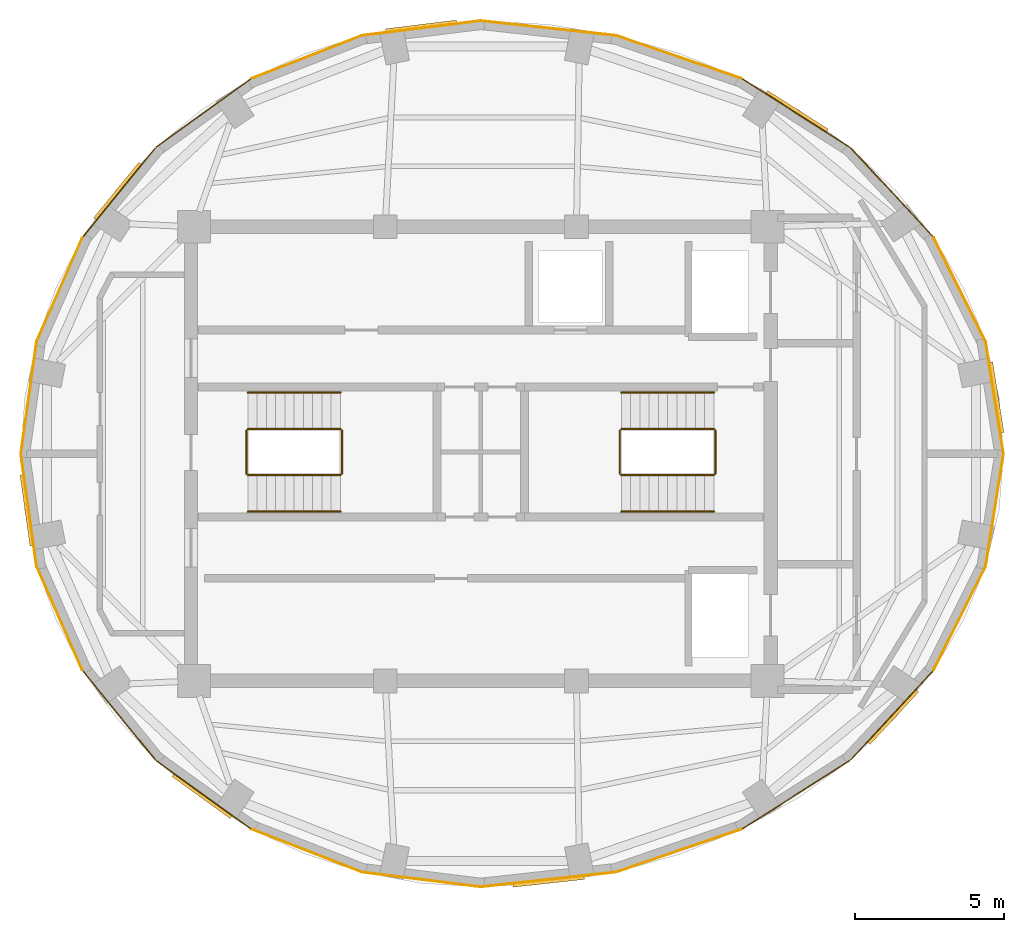
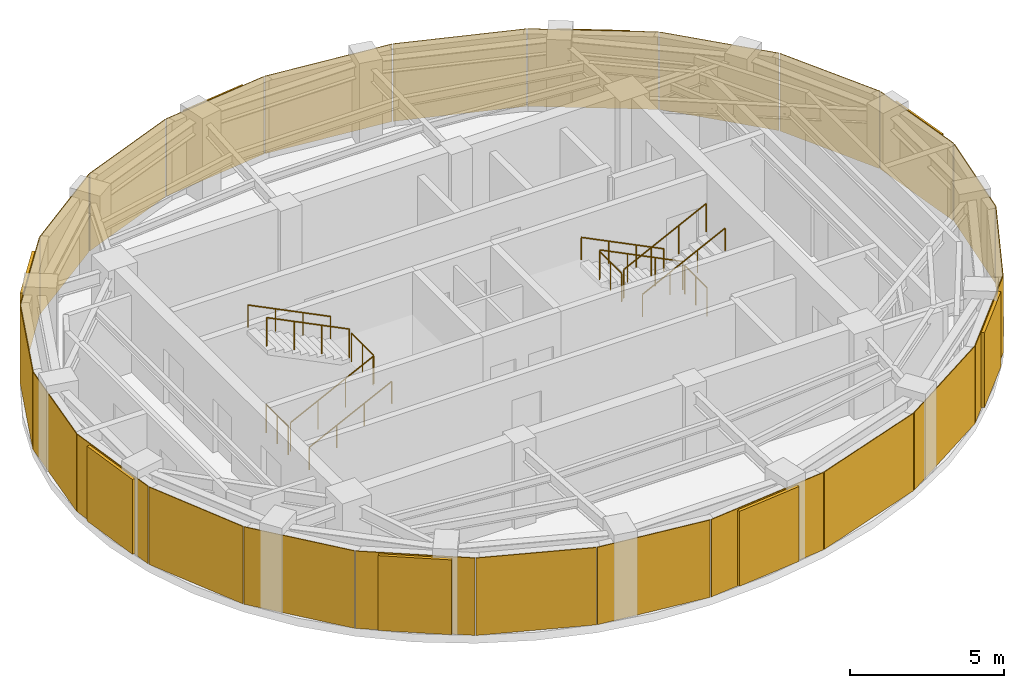
# One storey, part 5 of 5: 24 coverings, 12 railings, 8 shading devices.
"""IFC4 building model written with IfcOpenShell, lengths in metres."""

from ifc_helpers import new_model, si_unit, direction, frame, origin, origin_2d, place, context, subcontext, project, spatial, rectangle, circle, extrude, material, layer, layer_set, type_object, element, save


model = new_model("IFC4")

# Units and contexts
model_context = context("Model", 3, precision=1e-05, world=origin(), true_north=direction((0.0, 1.0)))
body_context = subcontext(model_context, "Body", "Model", "MODEL_VIEW")
ifc_project = project(units=[si_unit("LENGTHUNIT", "METRE"), si_unit("AREAUNIT", "SQUARE_METRE"), si_unit("VOLUMEUNIT", "CUBIC_METRE"), si_unit("PLANEANGLEUNIT", "RADIAN"), si_unit("MASSUNIT", "GRAM", prefix="KILO")], contexts=[model_context])

# Site, building, storey
site_placement = place(None, origin())
site = spatial("IfcSite", under=ifc_project, at=site_placement, CompositionType="ELEMENT")
building_placement = place(site_placement, origin())
building = spatial("IfcBuilding", under=site, at=building_placement, Name="Lazwardi Medical Tower", CompositionType="ELEMENT")
storey_placement = place(building_placement, frame((0.0, 0.0, 305.8359375)))
storey = spatial("IfcBuildingStorey", under=building, at=storey_placement, Name="L80", CompositionType="ELEMENT", Elevation=305.8359375)

# Coverings
ifc_material_1 = material(Name="Anodised bronze aluminium cassette cladding", Category="aluminium")
ifc_layer = layer(ifc_material_1, 0.030029296875)
ifc_layer_set = layer_set([ifc_layer], Name="Anodised bronze aluminium cassette cladding")
covering_type = type_object("IfcCoveringType", Name="COV-CLD-BRZ", PredefinedType="CLADDING", material=ifc_layer_set)
covering_1_placement = place(storey_placement, frame((38.260498046875, 13.752197265625, 0.0), z_axis=(0.0, 0.0, 1.0), x_axis=(0.994125867428, 0.108230123855, 0.0)))
element("IfcCovering", 1, at=covering_1_placement, inside=storey, type_object=covering_type, Name="L80 Bronzed crown drum cassette cladding", PredefinedType="CLADDING", context=body_context, shape_type="SweptSolid", body=[
    extrude(rectangle(XDim=4.514404296875, YDim=0.030029296875, at=origin_2d()), origin(), (0.0, 0.0, 1.0), 3.068115234375),
])
covering_2_placement = place(storey_placement, frame((42.62841796875, 14.72021484375, 0.0), z_axis=(0.0, 0.0, 1.0), x_axis=(0.946033335117, 0.324069327223, 0.0)))
element("IfcCovering", 2, at=covering_2_placement, inside=storey, type_object=covering_type, Name="L80 Bronzed crown drum cassette cladding", PredefinedType="CLADDING", context=body_context, shape_type="SweptSolid", body=[
    extrude(rectangle(XDim=4.420654296875, YDim=0.030029296875, at=origin_2d()), origin(), (0.0, 0.0, 1.0), 3.068115234375),
])
covering_3_placement = place(storey_placement, frame((46.547607421875, 16.591552734375, 0.0), z_axis=(0.0, 0.0, 1.0), x_axis=(0.84434288828, 0.535803216686, 0.0)))
element("IfcCovering", 3, at=covering_3_placement, inside=storey, type_object=covering_type, Name="L80 Bronzed crown drum cassette cladding", PredefinedType="CLADDING", context=body_context, shape_type="SweptSolid", body=[
    extrude(rectangle(XDim=4.253173828125, YDim=0.030029296875, at=origin_2d()), origin(), (0.0, 0.0, 1.0), 3.068115234375),
])
covering_4_placement = place(storey_placement, frame((49.751220703125, 19.240966796875, 0.0), z_axis=(0.0, 0.0, 1.0), x_axis=(0.680177307104, 0.733047632082, 0.0)))
element("IfcCovering", 4, at=covering_4_placement, inside=storey, type_object=covering_type, Name="L80 Bronzed crown drum cassette cladding", PredefinedType="CLADDING", context=body_context, shape_type="SweptSolid", body=[
    extrude(rectangle(XDim=4.051513671875, YDim=0.030029296875, at=origin_2d()), origin(), (0.0, 0.0, 1.0), 3.068115234375),
])
covering_5_placement = place(storey_placement, frame((52.019775390625, 22.49072265625, 0.0), z_axis=(0.0, 0.0, 1.0), x_axis=(0.447844918421, 0.894111250933, 0.0)))
element("IfcCovering", 5, at=covering_5_placement, inside=storey, type_object=covering_type, Name="L80 Bronzed crown drum cassette cladding", PredefinedType="CLADDING", context=body_context, shape_type="SweptSolid", body=[
    extrude(rectangle(XDim=3.8681640625, YDim=0.030029296875, at=origin_2d()), origin(), (0.0, 0.0, 1.0), 3.068115234375),
])
for number, where, z_axis, x_axis, name in (
    (6, (53.19580078125, 26.1201171875, 0.0), (0.0, 0.0, 1.0), (0.157201527183, 0.987566544518, 0.0), "L80 Bronzed crown drum cassette cladding"),
    (7, (53.19580078125, 29.8798828125, 0.0), (0.0, 0.0, 1.0), (-0.157201527183, 0.987566544518, 0.0), "L80 Bronzed crown drum cassette cladding"),
):
    element("IfcCovering", number, at=place(storey_placement, frame(where, z_axis=z_axis, x_axis=x_axis)), inside=storey, type_object=covering_type, Name=name, PredefinedType="CLADDING", context=body_context, shape_type="SweptSolid", body=[
        extrude(rectangle(XDim=3.75830078125, YDim=0.030029296875, at=origin_2d()), origin(), (0.0, 0.0, 1.0), 3.068115234375),
    ])
covering_6_placement = place(storey_placement, frame((52.019775390625, 33.50927734375, 0.0), z_axis=(0.0, 0.0, 1.0), x_axis=(-0.447844918421, 0.894111250933, 0.0)))
element("IfcCovering", 8, at=covering_6_placement, inside=storey, type_object=covering_type, Name="L80 Bronzed crown drum cassette cladding", PredefinedType="CLADDING", context=body_context, shape_type="SweptSolid", body=[
    extrude(rectangle(XDim=3.8681640625, YDim=0.030029296875, at=origin_2d()), origin(), (0.0, 0.0, 1.0), 3.068115234375),
])
covering_7_placement = place(storey_placement, frame((49.751220703125, 36.759033203125, 0.0), z_axis=(0.0, 0.0, 1.0), x_axis=(-0.680177307104, 0.733047632082, 0.0)))
element("IfcCovering", 9, at=covering_7_placement, inside=storey, type_object=covering_type, Name="L80 Bronzed crown drum cassette cladding", PredefinedType="CLADDING", context=body_context, shape_type="SweptSolid", body=[
    extrude(rectangle(XDim=4.051513671875, YDim=0.030029296875, at=origin_2d()), origin(), (0.0, 0.0, 1.0), 3.068115234375),
])
covering_8_placement = place(storey_placement, frame((46.547607421875, 39.408447265625, 0.0), z_axis=(0.0, 0.0, 1.0), x_axis=(-0.84434288828, 0.535803216686, 0.0)))
element("IfcCovering", 10, at=covering_8_placement, inside=storey, type_object=covering_type, Name="L80 Bronzed crown drum cassette cladding", PredefinedType="CLADDING", context=body_context, shape_type="SweptSolid", body=[
    extrude(rectangle(XDim=4.253173828125, YDim=0.030029296875, at=origin_2d()), origin(), (0.0, 0.0, 1.0), 3.068115234375),
])
covering_9_placement = place(storey_placement, frame((42.62841796875, 41.27978515625, 0.0), z_axis=(0.0, 0.0, 1.0), x_axis=(-0.946033335117, 0.324069327223, 0.0)))
element("IfcCovering", 11, at=covering_9_placement, inside=storey, type_object=covering_type, Name="L80 Bronzed crown drum cassette cladding", PredefinedType="CLADDING", context=body_context, shape_type="SweptSolid", body=[
    extrude(rectangle(XDim=4.420654296875, YDim=0.030029296875, at=origin_2d()), origin(), (0.0, 0.0, 1.0), 3.068115234375),
])
covering_10_placement = place(storey_placement, frame((38.260498046875, 42.247802734375, 0.0), z_axis=(0.0, 0.0, 1.0), x_axis=(-0.994125867428, 0.108230123855, 0.0)))
element("IfcCovering", 12, at=covering_10_placement, inside=storey, type_object=covering_type, Name="L80 Bronzed crown drum cassette cladding", PredefinedType="CLADDING", context=body_context, shape_type="SweptSolid", body=[
    extrude(rectangle(XDim=4.514404296875, YDim=0.030029296875, at=origin_2d()), origin(), (0.0, 0.0, 1.0), 3.068115234375),
])
covering_11_placement = place(storey_placement, frame((34.009033203125, 42.24755859375, 0.0), z_axis=(0.0, 0.0, 1.0), x_axis=(-0.992414982641, -0.122932917602, 0.0)))
element("IfcCovering", 13, at=covering_11_placement, inside=storey, type_object=covering_type, Name="L80 Bronzed crown drum cassette cladding", PredefinedType="CLADDING", context=body_context, shape_type="SweptSolid", body=[
    extrude(rectangle(XDim=3.974609375, YDim=0.030029296875, at=origin_2d()), origin(), (0.0, 0.0, 1.0), 3.068115234375),
])
covering_12_placement = place(storey_placement, frame((30.162109375, 41.277587890625, 0.0), z_axis=(0.0, 0.0, 1.0), x_axis=(-0.931730529697, -0.363150409653, 0.0)))
element("IfcCovering", 14, at=covering_12_placement, inside=storey, type_object=covering_type, Name="L80 Bronzed crown drum cassette cladding", PredefinedType="CLADDING", context=body_context, shape_type="SweptSolid", body=[
    extrude(rectangle(XDim=3.94482421875, YDim=0.030029296875, at=origin_2d()), origin(), (0.0, 0.0, 1.0), 3.068115234375),
])
covering_13_placement = place(storey_placement, frame((26.71240234375, 39.4033203125, 0.0), z_axis=(0.0, 0.0, 1.0), x_axis=(-0.810758446386, -0.585380851766, 0.0)))
element("IfcCovering", 15, at=covering_13_placement, inside=storey, type_object=covering_type, Name="L80 Bronzed crown drum cassette cladding", PredefinedType="CLADDING", context=body_context, shape_type="SweptSolid", body=[
    extrude(rectangle(XDim=3.89306640625, YDim=0.030029296875, at=origin_2d()), origin(), (0.0, 0.0, 1.0), 3.068115234375),
])
covering_14_placement = place(storey_placement, frame((23.894287109375, 36.751708984375, 0.0), z_axis=(0.0, 0.0, 1.0), x_axis=(-0.63198331542, -0.774981992714, 0.0)))
element("IfcCovering", 16, at=covering_14_placement, inside=storey, type_object=covering_type, Name="L80 Bronzed crown drum cassette cladding", PredefinedType="CLADDING", context=body_context, shape_type="SweptSolid", body=[
    extrude(rectangle(XDim=3.832275390625, YDim=0.030029296875, at=origin_2d()), origin(), (0.0, 0.0, 1.0), 3.068115234375),
])
covering_15_placement = place(storey_placement, frame((21.900390625, 33.50244140625, 0.0), z_axis=(0.0, 0.0, 1.0), x_axis=(-0.402906435714, -0.915241172621, 0.0)))
element("IfcCovering", 17, at=covering_15_placement, inside=storey, type_object=covering_type, Name="L80 Bronzed crown drum cassette cladding", PredefinedType="CLADDING", context=body_context, shape_type="SweptSolid", body=[
    extrude(rectangle(XDim=3.77880859375, YDim=0.030029296875, at=origin_2d()), origin(), (0.0, 0.0, 1.0), 3.068115234375),
])
for number, where, z_axis, x_axis, name in (
    (18, (20.8681640625, 29.876953125, 0.0), (0.0, 0.0, 1.0), (-0.138566426199, -0.990353141829, 0.0), "L80 Bronzed crown drum cassette cladding"),
    (19, (20.8681640625, 26.123046875, 0.0), (0.0, 0.0, 1.0), (0.138566426199, -0.990353141829, 0.0), "L80 Bronzed crown drum cassette cladding"),
):
    element("IfcCovering", number, at=place(storey_placement, frame(where, z_axis=z_axis, x_axis=x_axis)), inside=storey, type_object=covering_type, Name=name, PredefinedType="CLADDING", context=body_context, shape_type="SweptSolid", body=[
        extrude(rectangle(XDim=3.747802734375, YDim=0.030029296875, at=origin_2d()), origin(), (0.0, 0.0, 1.0), 3.068115234375),
    ])
covering_16_placement = place(storey_placement, frame((21.900390625, 22.49755859375, 0.0), z_axis=(0.0, 0.0, 1.0), x_axis=(0.402906435714, -0.915241172621, 0.0)))
element("IfcCovering", 20, at=covering_16_placement, inside=storey, type_object=covering_type, Name="L80 Bronzed crown drum cassette cladding", PredefinedType="CLADDING", context=body_context, shape_type="SweptSolid", body=[
    extrude(rectangle(XDim=3.77880859375, YDim=0.030029296875, at=origin_2d()), origin(), (0.0, 0.0, 1.0), 3.068115234375),
])
covering_17_placement = place(storey_placement, frame((23.894287109375, 19.248291015625, 0.0), z_axis=(0.0, 0.0, 1.0), x_axis=(0.63198331542, -0.774981992714, 0.0)))
element("IfcCovering", 21, at=covering_17_placement, inside=storey, type_object=covering_type, Name="L80 Bronzed crown drum cassette cladding", PredefinedType="CLADDING", context=body_context, shape_type="SweptSolid", body=[
    extrude(rectangle(XDim=3.832275390625, YDim=0.030029296875, at=origin_2d()), origin(), (0.0, 0.0, 1.0), 3.068115234375),
])
covering_18_placement = place(storey_placement, frame((26.71240234375, 16.5966796875, 0.0), z_axis=(0.0, 0.0, 1.0), x_axis=(0.810758446386, -0.585380851766, 0.0)))
element("IfcCovering", 22, at=covering_18_placement, inside=storey, type_object=covering_type, Name="L80 Bronzed crown drum cassette cladding", PredefinedType="CLADDING", context=body_context, shape_type="SweptSolid", body=[
    extrude(rectangle(XDim=3.89306640625, YDim=0.030029296875, at=origin_2d()), origin(), (0.0, 0.0, 1.0), 3.068115234375),
])
covering_19_placement = place(storey_placement, frame((30.162109375, 14.722412109375, 0.0), z_axis=(0.0, 0.0, 1.0), x_axis=(0.931730529697, -0.363150409653, 0.0)))
element("IfcCovering", 23, at=covering_19_placement, inside=storey, type_object=covering_type, Name="L80 Bronzed crown drum cassette cladding", PredefinedType="CLADDING", context=body_context, shape_type="SweptSolid", body=[
    extrude(rectangle(XDim=3.94482421875, YDim=0.030029296875, at=origin_2d()), origin(), (0.0, 0.0, 1.0), 3.068115234375),
])
covering_20_placement = place(storey_placement, frame((34.009033203125, 13.75244140625, 0.0), z_axis=(0.0, 0.0, 1.0), x_axis=(0.992414982641, -0.122932917602, 0.0)))
element("IfcCovering", 24, at=covering_20_placement, inside=storey, type_object=covering_type, Name="L80 Bronzed crown drum cassette cladding", PredefinedType="CLADDING", context=body_context, shape_type="SweptSolid", body=[
    extrude(rectangle(XDim=3.974609375, YDim=0.030029296875, at=origin_2d()), origin(), (0.0, 0.0, 1.0), 3.068115234375),
])

# Railings
ifc_material_2 = material(Name="Stainless steel Grade 316", Category="steel")
railing_type_1 = type_object("IfcRailingType", Name="RLG-GRD-1150", PredefinedType="GUARDRAIL", material=ifc_material_2)
railing_1_placement = place(storey_placement, frame((28.199951171875, 27.2900390625, 0.154052734375)))
element("IfcRailing", 25, at=railing_1_placement, inside=storey, type_object=railing_type_1, Name="L80 ST1 stair guard 1", PredefinedType="GUARDRAIL", context=body_context, shape_type="SweptSolid", body=[
    extrude(circle(Radius=0.02392578125, at=origin_2d()), frame((0.0, 0.0, 1.1259765625), z_axis=(0.895580879637, 0.0, 0.444898739073), x_axis=(0.0, 1.0, 0.0)), (0.0, 0.0, 1.0), 3.461669921875),
    extrude(circle(Radius=0.02099609375, at=origin_2d()), origin(), (0.0, 0.0, 1.0), 1.099853515625),
    extrude(circle(Radius=0.02099609375, at=origin_2d()), frame((1.033447265625, 0.0, 0.513427734375)), (0.0, 0.0, 1.0), 1.099853515625),
    extrude(circle(Radius=0.02099609375, at=origin_2d()), frame((2.066650390625, 0.0, 1.026611328125)), (0.0, 0.0, 1.0), 1.099853515625),
    extrude(circle(Radius=0.02099609375, at=origin_2d()), frame((3.10009765625, 0.0, 1.5400390625)), (0.0, 0.0, 1.0), 1.099853515625),
])
railing_2_placement = place(storey_placement, frame((31.35009765625, 27.340087890625, 1.694091796875)))
element("IfcRailing", 26, at=railing_2_placement, inside=storey, type_object=railing_type_1, Name="L80 ST1 stair guard 2", PredefinedType="GUARDRAIL", context=body_context, shape_type="SweptSolid", body=[
    extrude(circle(Radius=0.02392578125, at=origin_2d()), frame((0.0, 0.0, 1.1259765625), z_axis=(0.0, 1.0, 0.0), x_axis=(-1.0, 0.0, 0.0)), (0.0, 0.0, 1.0), 1.43994140625),
    extrude(circle(Radius=0.02099609375, at=origin_2d()), origin(), (0.0, 0.0, 1.0), 1.099853515625),
    extrude(circle(Radius=0.02099609375, at=origin_2d()), frame((0.0, 0.719970703125, 0.0)), (0.0, 0.0, 1.0), 1.099853515625),
    extrude(circle(Radius=0.02099609375, at=origin_2d()), frame((0.0, 1.43994140625, 0.0)), (0.0, 0.0, 1.0), 1.099853515625),
])
railing_3_placement = place(storey_placement, frame((31.300048828125, 28.830078125, 1.84814453125)))
element("IfcRailing", 27, at=railing_3_placement, inside=storey, type_object=railing_type_1, Name="L80 ST1 stair guard 3", PredefinedType="GUARDRAIL", context=body_context, shape_type="SweptSolid", body=[
    extrude(circle(Radius=0.02392578125, at=origin_2d()), frame((0.0, 0.0, 1.1259765625), z_axis=(-0.895580879637, 0.0, 0.444898739073), x_axis=(0.0, -1.0, 0.0)), (0.0, 0.0, 1.0), 3.461669921875),
    extrude(circle(Radius=0.02099609375, at=origin_2d()), origin(), (0.0, 0.0, 1.0), 1.099853515625),
    extrude(circle(Radius=0.02099609375, at=origin_2d()), frame((-1.033447265625, 0.0, 0.513427734375)), (0.0, 0.0, 1.0), 1.099853515625),
    extrude(circle(Radius=0.02099609375, at=origin_2d()), frame((-2.066650390625, 0.0, 1.026611328125)), (0.0, 0.0, 1.0), 1.099853515625),
    extrude(circle(Radius=0.02099609375, at=origin_2d()), frame((-3.10009765625, 0.0, 1.5400390625)), (0.0, 0.0, 1.0), 1.099853515625),
])
railing_4_placement = place(storey_placement, frame((28.14990234375, 27.340087890625, 0.0)))
element("IfcRailing", 28, at=railing_4_placement, inside=storey, type_object=railing_type_1, Name="L80 ST1 stair guard 4", PredefinedType="GUARDRAIL", context=body_context, shape_type="SweptSolid", body=[
    extrude(circle(Radius=0.02392578125, at=origin_2d()), frame((0.0, 0.0, 1.1259765625), z_axis=(0.0, 1.0, 0.0), x_axis=(-1.0, 0.0, 0.0)), (0.0, 0.0, 1.0), 1.43994140625),
    extrude(circle(Radius=0.02099609375, at=origin_2d()), origin(), (0.0, 0.0, 1.0), 1.099853515625),
    extrude(circle(Radius=0.02099609375, at=origin_2d()), frame((0.0, 0.719970703125, 0.0)), (0.0, 0.0, 1.0), 1.099853515625),
    extrude(circle(Radius=0.02099609375, at=origin_2d()), frame((0.0, 1.43994140625, 0.0)), (0.0, 0.0, 1.0), 1.099853515625),
])
railing_5_placement = place(storey_placement, frame((43.800048828125, 28.830078125, 0.154052734375)))
element("IfcRailing", 29, at=railing_5_placement, inside=storey, type_object=railing_type_1, Name="L80 ST2 stair guard 1", PredefinedType="GUARDRAIL", context=body_context, shape_type="SweptSolid", body=[
    extrude(circle(Radius=0.02392578125, at=origin_2d()), frame((0.0, 0.0, 1.1259765625), z_axis=(-0.895580879637, 0.0, 0.444898739073), x_axis=(0.0, -1.0, 0.0)), (0.0, 0.0, 1.0), 3.461669921875),
    extrude(circle(Radius=0.02099609375, at=origin_2d()), origin(), (0.0, 0.0, 1.0), 1.099853515625),
    extrude(circle(Radius=0.02099609375, at=origin_2d()), frame((-1.033447265625, 0.0, 0.513427734375)), (0.0, 0.0, 1.0), 1.099853515625),
    extrude(circle(Radius=0.02099609375, at=origin_2d()), frame((-2.066650390625, 0.0, 1.026611328125)), (0.0, 0.0, 1.0), 1.099853515625),
    extrude(circle(Radius=0.02099609375, at=origin_2d()), frame((-3.10009765625, 0.0, 1.5400390625)), (0.0, 0.0, 1.0), 1.099853515625),
])
railing_6_placement = place(storey_placement, frame((40.64990234375, 28.780029296875, 1.694091796875)))
element("IfcRailing", 30, at=railing_6_placement, inside=storey, type_object=railing_type_1, Name="L80 ST2 stair guard 2", PredefinedType="GUARDRAIL", context=body_context, shape_type="SweptSolid", body=[
    extrude(circle(Radius=0.02392578125, at=origin_2d()), frame((0.0, 0.0, 1.1259765625), z_axis=(0.0, -1.0, 0.0), x_axis=(1.0, 0.0, 0.0)), (0.0, 0.0, 1.0), 1.43994140625),
    extrude(circle(Radius=0.02099609375, at=origin_2d()), origin(), (0.0, 0.0, 1.0), 1.099853515625),
    extrude(circle(Radius=0.02099609375, at=origin_2d()), frame((0.0, -0.719970703125, 0.0)), (0.0, 0.0, 1.0), 1.099853515625),
    extrude(circle(Radius=0.02099609375, at=origin_2d()), frame((0.0, -1.43994140625, 0.0)), (0.0, 0.0, 1.0), 1.099853515625),
])
railing_7_placement = place(storey_placement, frame((40.699951171875, 27.2900390625, 1.84814453125)))
element("IfcRailing", 31, at=railing_7_placement, inside=storey, type_object=railing_type_1, Name="L80 ST2 stair guard 3", PredefinedType="GUARDRAIL", context=body_context, shape_type="SweptSolid", body=[
    extrude(circle(Radius=0.02392578125, at=origin_2d()), frame((0.0, 0.0, 1.1259765625), z_axis=(0.895580879637, 0.0, 0.444898739073), x_axis=(0.0, 1.0, 0.0)), (0.0, 0.0, 1.0), 3.461669921875),
    extrude(circle(Radius=0.02099609375, at=origin_2d()), origin(), (0.0, 0.0, 1.0), 1.099853515625),
    extrude(circle(Radius=0.02099609375, at=origin_2d()), frame((1.033447265625, 0.0, 0.513427734375)), (0.0, 0.0, 1.0), 1.099853515625),
    extrude(circle(Radius=0.02099609375, at=origin_2d()), frame((2.066650390625, 0.0, 1.026611328125)), (0.0, 0.0, 1.0), 1.099853515625),
    extrude(circle(Radius=0.02099609375, at=origin_2d()), frame((3.10009765625, 0.0, 1.5400390625)), (0.0, 0.0, 1.0), 1.099853515625),
])
railing_8_placement = place(storey_placement, frame((43.85009765625, 28.780029296875, 0.0)))
element("IfcRailing", 32, at=railing_8_placement, inside=storey, type_object=railing_type_1, Name="L80 ST2 stair guard 4", PredefinedType="GUARDRAIL", context=body_context, shape_type="SweptSolid", body=[
    extrude(circle(Radius=0.02392578125, at=origin_2d()), frame((0.0, 0.0, 1.1259765625), z_axis=(0.0, -1.0, 0.0), x_axis=(1.0, 0.0, 0.0)), (0.0, 0.0, 1.0), 1.43994140625),
    extrude(circle(Radius=0.02099609375, at=origin_2d()), origin(), (0.0, 0.0, 1.0), 1.099853515625),
    extrude(circle(Radius=0.02099609375, at=origin_2d()), frame((0.0, -0.719970703125, 0.0)), (0.0, 0.0, 1.0), 1.099853515625),
    extrude(circle(Radius=0.02099609375, at=origin_2d()), frame((0.0, -1.43994140625, 0.0)), (0.0, 0.0, 1.0), 1.099853515625),
])
railing_type_2 = type_object("IfcRailingType", Name="RLG-HND-920", PredefinedType="HANDRAIL", material=ifc_material_2)
railing_9_placement = place(storey_placement, frame((28.199951171875, 26.070068359375, 0.154052734375)))
element("IfcRailing", 33, at=railing_9_placement, inside=storey, type_object=railing_type_2, Name="L80 ST1 stair handrail 1", PredefinedType="HANDRAIL", context=body_context, shape_type="SweptSolid", body=[
    extrude(circle(Radius=0.02392578125, at=origin_2d()), frame((0.0, 0.0, 0.8857421875), z_axis=(0.895580879637, 0.0, 0.444898739073), x_axis=(0.0, 1.0, 0.0)), (0.0, 0.0, 1.0), 3.461669921875),
    extrude(circle(Radius=0.02099609375, at=origin_2d()), origin(), (0.0, 0.0, 1.0), 0.85986328125),
    extrude(circle(Radius=0.02099609375, at=origin_2d()), frame((1.033447265625, 0.0, 0.513427734375)), (0.0, 0.0, 1.0), 0.85986328125),
    extrude(circle(Radius=0.02099609375, at=origin_2d()), frame((2.066650390625, 0.0, 1.026611328125)), (0.0, 0.0, 1.0), 0.85986328125),
    extrude(circle(Radius=0.02099609375, at=origin_2d()), frame((3.10009765625, 0.0, 1.5400390625)), (0.0, 0.0, 1.0), 0.85986328125),
])
for number, where, name in (
    (34, (31.300048828125, 30.050048828125, 1.84814453125), "L80 ST1 stair handrail 2"),
    (35, (43.800048828125, 30.050048828125, 0.154052734375), "L80 ST2 stair handrail 1"),
):
    element("IfcRailing", number, at=place(storey_placement, frame(where)), inside=storey, type_object=railing_type_2, Name=name, PredefinedType="HANDRAIL", context=body_context, shape_type="SweptSolid", body=[
        extrude(circle(Radius=0.02392578125, at=origin_2d()), frame((0.0, 0.0, 0.8857421875), z_axis=(-0.895580879637, 0.0, 0.444898739073), x_axis=(0.0, -1.0, 0.0)), (0.0, 0.0, 1.0), 3.461669921875),
        extrude(circle(Radius=0.02099609375, at=origin_2d()), origin(), (0.0, 0.0, 1.0), 0.85986328125),
        extrude(circle(Radius=0.02099609375, at=origin_2d()), frame((-1.033447265625, 0.0, 0.513427734375)), (0.0, 0.0, 1.0), 0.85986328125),
        extrude(circle(Radius=0.02099609375, at=origin_2d()), frame((-2.066650390625, 0.0, 1.026611328125)), (0.0, 0.0, 1.0), 0.85986328125),
        extrude(circle(Radius=0.02099609375, at=origin_2d()), frame((-3.10009765625, 0.0, 1.5400390625)), (0.0, 0.0, 1.0), 0.85986328125),
    ])
railing_10_placement = place(storey_placement, frame((40.699951171875, 26.070068359375, 1.84814453125)))
element("IfcRailing", 36, at=railing_10_placement, inside=storey, type_object=railing_type_2, Name="L80 ST2 stair handrail 2", PredefinedType="HANDRAIL", context=body_context, shape_type="SweptSolid", body=[
    extrude(circle(Radius=0.02392578125, at=origin_2d()), frame((0.0, 0.0, 0.8857421875), z_axis=(0.895580879637, 0.0, 0.444898739073), x_axis=(0.0, 1.0, 0.0)), (0.0, 0.0, 1.0), 3.461669921875),
    extrude(circle(Radius=0.02099609375, at=origin_2d()), origin(), (0.0, 0.0, 1.0), 0.85986328125),
    extrude(circle(Radius=0.02099609375, at=origin_2d()), frame((1.033447265625, 0.0, 0.513427734375)), (0.0, 0.0, 1.0), 0.85986328125),
    extrude(circle(Radius=0.02099609375, at=origin_2d()), frame((2.066650390625, 0.0, 1.026611328125)), (0.0, 0.0, 1.0), 0.85986328125),
    extrude(circle(Radius=0.02099609375, at=origin_2d()), frame((3.10009765625, 0.0, 1.5400390625)), (0.0, 0.0, 1.0), 0.85986328125),
])

# Shading devices
ifc_material_3 = material(Name="Anodised bronze aluminium storm louvre", Category="aluminium")
shading_device_type_1 = type_object("IfcShadingDeviceType", Name="SHD-LVR-01", PredefinedType="JALOUSIE", material=ifc_material_3)
for number, where, z_axis, x_axis, name in (
    (37, (38.2666015625, 13.695556640625, 0.05029296875), (0.0, 0.0, 1.0), (0.994125867428, 0.108230123855, 0.0), "L80 Crown Acoustic Storm Louvre 01"),
    (38, (53.251953125, 29.888916015625, 0.05029296875), (0.0, 0.0, 1.0), (-0.157201527183, 0.987566544518, 0.0), "L80 Crown Acoustic Storm Louvre 07"),
    (39, (34.001953125, 42.30419921875, 0.05029296875), (0.0, 0.0, 1.0), (-0.992414982641, -0.122932917602, 0.0), "L80 Crown Acoustic Storm Louvre 13"),
    (40, (20.811767578125, 26.115234375, 0.05029296875), (0.0, 0.0, 1.0), (0.138566426199, -0.990353141829, 0.0), "L80 Crown Acoustic Storm Louvre 19"),
):
    element("IfcShadingDevice", number, at=place(storey_placement, frame(where, z_axis=z_axis, x_axis=x_axis)), inside=storey, type_object=shading_device_type_1, Name=name, PredefinedType="JALOUSIE", context=body_context, shape_type="SweptSolid", body=[
        extrude(rectangle(XDim=2.39990234375, YDim=0.139892578125, at=origin_2d()), origin(), (0.0, 0.0, 1.0), 2.968017578125),
    ])
ifc_material_4 = material(Name="Perforated bronze girih solar screen", Category="aluminium")
shading_device_type_2 = type_object("IfcShadingDeviceType", Name="SHD-SCR-01", PredefinedType="USERDEFINED", material=ifc_material_4)
for number, where, z_axis, x_axis, name in (
    (41, (49.79296875, 19.2021484375, 0.05029296875), (0.0, 0.0, 1.0), (0.680177307104, 0.733047632082, 0.0), "L80 Crown Bronze Girih Screen 04"),
    (42, (46.578125, 39.456787109375, 0.05029296875), (0.0, 0.0, 1.0), (-0.84434288828, 0.535803216686, 0.0), "L80 Crown Bronze Girih Screen 10"),
    (43, (23.85009765625, 36.78759765625, 0.05029296875), (0.0, 0.0, 1.0), (-0.63198331542, -0.774981992714, 0.0), "L80 Crown Bronze Girih Screen 16"),
    (44, (26.678955078125, 16.55029296875, 0.05029296875), (0.0, 0.0, 1.0), (0.810758446386, -0.585380851766, 0.0), "L80 Crown Bronze Girih Screen 22"),
):
    element("IfcShadingDevice", number, at=place(storey_placement, frame(where, z_axis=z_axis, x_axis=x_axis)), inside=storey, type_object=shading_device_type_2, Name=name, ObjectType="SCREEN", PredefinedType="USERDEFINED", context=body_context, shape_type="SweptSolid", body=[
        extrude(rectangle(XDim=2.39990234375, YDim=0.139892578125, at=origin_2d()), origin(), (0.0, 0.0, 1.0), 2.968017578125),
    ])

save(model, "model.ifc")
